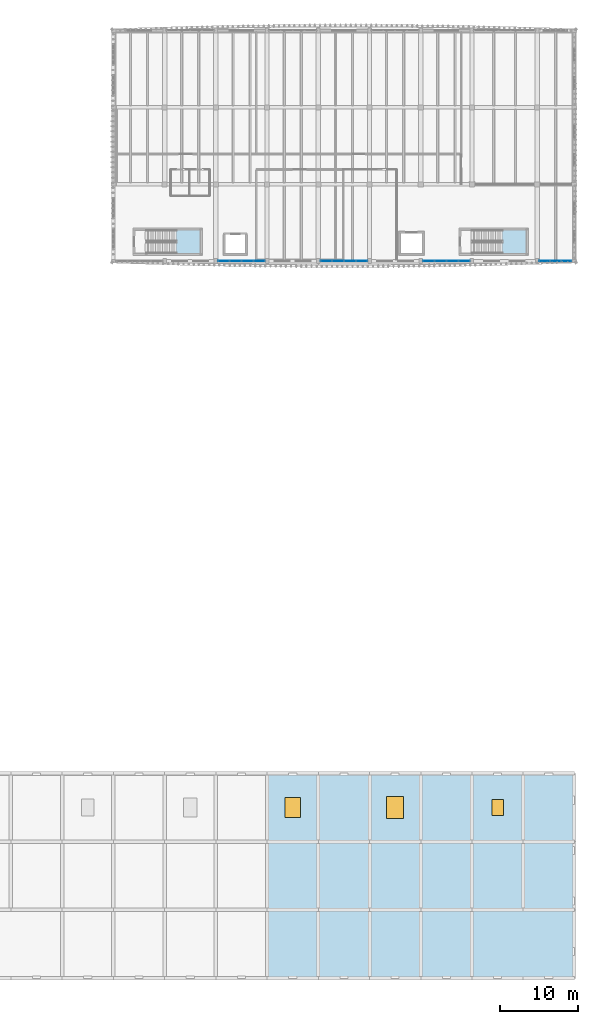
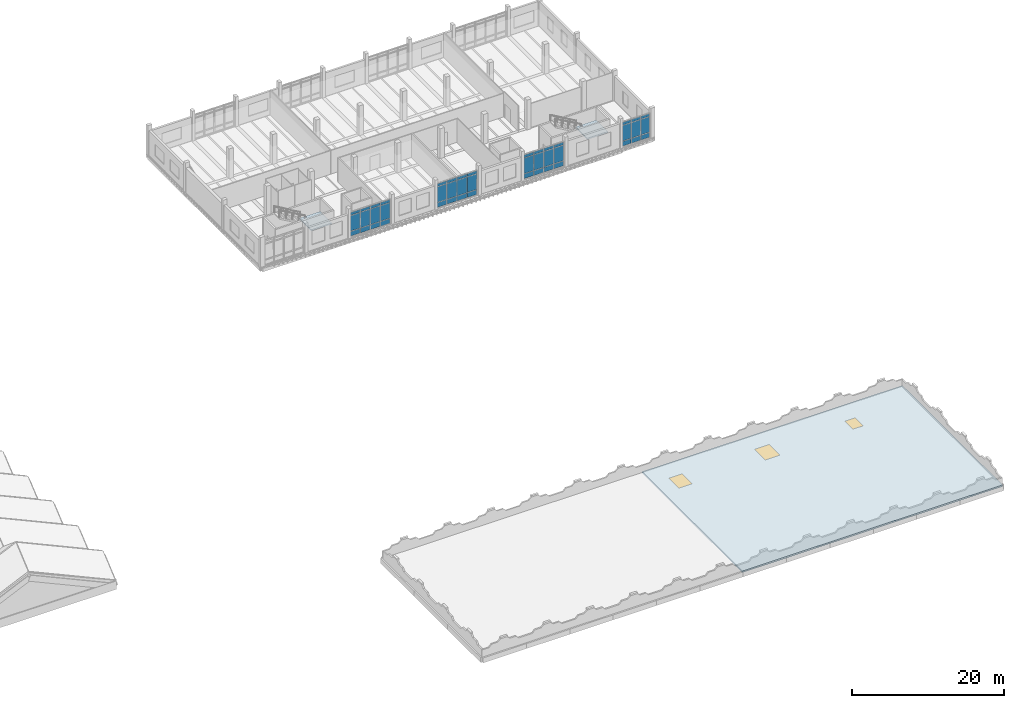
# One storey, part 22 of 50: 45 plates, 3 slabs, 3 windows, 3 openings, 6 elements without a shape of their own.
"""IFC4 building model written with IfcOpenShell, lengths in metres."""

from ifc_helpers import new_model, si_unit, direction, frame, origin, origin_2d, place, context, subcontext, project, spatial, polyline, rectangle, outline, extrude, material, layer, layer_set, type_object, element, fill, aggregate, save


model = new_model("IFC4")

# Units and contexts
model_context = context("Model", 3, precision=1e-05, world=origin(), true_north=direction((0.0, 1.0)))
body_context = subcontext(model_context, "Body", "Model", "MODEL_VIEW")
ifc_project = project(units=[si_unit("LENGTHUNIT", "METRE"), si_unit("AREAUNIT", "SQUARE_METRE"), si_unit("VOLUMEUNIT", "CUBIC_METRE"), si_unit("PLANEANGLEUNIT", "RADIAN"), si_unit("MASSUNIT", "GRAM", prefix="KILO")], contexts=[model_context])

# Site, building, storey
site_placement = place(None, origin())
site = spatial("IfcSite", under=ifc_project, at=site_placement, CompositionType="ELEMENT")
building_placement = place(site_placement, origin())
building = spatial("IfcBuilding", under=site, at=building_placement, Name="Dornvale Research Institute", CompositionType="ELEMENT")
storey_placement = place(building_placement, frame((0.0, 0.0, 19.800048828125)))
storey = spatial("IfcBuildingStorey", under=building, at=storey_placement, Name="L04", CompositionType="ELEMENT", Elevation=19.800048828125)

# Curtain wall, plates
ifc_material_1 = material(Name="Low-E Argon Double Insulating Glazing Unit", Category="glass")
curtain_wall_type_1 = type_object("IfcCurtainWallType", Name="UnitisedCurtainWall_V4_4250x3950", PredefinedType="USERDEFINED", material=ifc_material_1)
curtain_wall_1_placement = place(storey_placement, origin())
curtain_wall_1 = element("IfcCurtainWall", 1, at=curtain_wall_1_placement, inside=storey, type_object=curtain_wall_type_1, Name="L04 V4 unitised curtain wall CW-17 #104", ObjectType="UNITISED CURTAIN WALL", PredefinedType="USERDEFINED")
ifc_material_2 = material(Name="Insulated Ceramic-Frit Spandrel Glass Panel", Category="glass")
ifc_layer_1 = layer(ifc_material_2, 0.0419921875)
ifc_layer_set_1 = layer_set([ifc_layer_1], Name="Insulated Ceramic-Frit Spandrel Glass Panel")
plate_type_1 = type_object("IfcPlateType", Name="CurtainPanel_Spandrel_42", PredefinedType="CURTAIN_PANEL", material=ifc_layer_set_1)
plate_1_placement = place(storey_placement, frame((177.150390625, 92.39990234375, 0.06494140625), z_axis=(0.0, 0.0, 1.0), x_axis=(-1.0, 0.0, 0.0)))
plate_1 = element("IfcPlate", 2, at=plate_1_placement, type_object=plate_type_1, Name="CW-17 panel 1.1", PredefinedType="CURTAIN_PANEL", context=body_context, shape_type="SweptSolid", body=[
    extrude(rectangle(XDim=1.319091796875, YDim=0.0419921875, at=origin_2d()), origin(), (0.0, 0.0, 1.0), 0.75244140625),
])
plate_2_placement = place(storey_placement, frame((175.75, 92.39990234375, 0.06494140625), z_axis=(0.0, 0.0, 1.0), x_axis=(-1.0, 0.0, 0.0)))
plate_2 = element("IfcPlate", 3, at=plate_2_placement, type_object=plate_type_1, Name="CW-17 panel 2.1", PredefinedType="CURTAIN_PANEL", context=body_context, shape_type="SweptSolid", body=[
    extrude(rectangle(XDim=1.3515625, YDim=0.0419921875, at=origin_2d()), origin(), (0.0, 0.0, 1.0), 0.75244140625),
])
plate_3_placement = place(storey_placement, frame((174.349609375, 92.39990234375, 0.06494140625), z_axis=(0.0, 0.0, 1.0), x_axis=(-1.0, 0.0, 0.0)))
plate_3 = element("IfcPlate", 4, at=plate_3_placement, type_object=plate_type_1, Name="CW-17 panel 3.1", PredefinedType="CURTAIN_PANEL", context=body_context, shape_type="SweptSolid", body=[
    extrude(rectangle(XDim=1.319091796875, YDim=0.0419921875, at=origin_2d()), origin(), (0.0, 0.0, 1.0), 0.75244140625),
])

ifc_material_3 = material(Name="Low-E Argon Double Insulating Glazing Unit", Category="glass")
curtain_wall_type_2 = type_object("IfcCurtainWallType", Name="UnitisedCurtainWall_V4_6150x3950", PredefinedType="USERDEFINED", material=ifc_material_3)
curtain_wall_2_placement = place(storey_placement, origin())
curtain_wall_2 = element("IfcCurtainWall", 5, at=curtain_wall_2_placement, inside=storey, type_object=curtain_wall_type_2, Name="L04 V4 unitised curtain wall CW-15 #105", ObjectType="UNITISED CURTAIN WALL", PredefinedType="USERDEFINED")
plate_4_placement = place(storey_placement, frame((163.989990234375, 92.39990234375, 0.06494140625), z_axis=(0.0, 0.0, 1.0), x_axis=(-1.0, 0.0, 0.0)))
plate_4 = element("IfcPlate", 6, at=plate_4_placement, type_object=plate_type_1, Name="CW-15 panel 1.1", PredefinedType="CURTAIN_PANEL", context=body_context, shape_type="SweptSolid", body=[
    extrude(rectangle(XDim=1.43994140625, YDim=0.0419921875, at=origin_2d()), origin(), (0.0, 0.0, 1.0), 0.75244140625),
])
plate_5_placement = place(storey_placement, frame((162.46875, 92.39990234375, 0.06494140625), z_axis=(0.0, 0.0, 1.0), x_axis=(-1.0, 0.0, 0.0)))
plate_5 = element("IfcPlate", 7, at=plate_5_placement, type_object=plate_type_1, Name="CW-15 panel 2.1", PredefinedType="CURTAIN_PANEL", context=body_context, shape_type="SweptSolid", body=[
    extrude(rectangle(XDim=1.472412109375, YDim=0.0419921875, at=origin_2d()), origin(), (0.0, 0.0, 1.0), 0.75244140625),
])
plate_6_placement = place(storey_placement, frame((160.93115234375, 92.39990234375, 0.06494140625), z_axis=(0.0, 0.0, 1.0), x_axis=(-1.0, 0.0, 0.0)))
plate_6 = element("IfcPlate", 8, at=plate_6_placement, type_object=plate_type_1, Name="CW-15 panel 3.1", PredefinedType="CURTAIN_PANEL", context=body_context, shape_type="SweptSolid", body=[
    extrude(rectangle(XDim=1.472412109375, YDim=0.0419921875, at=origin_2d()), origin(), (0.0, 0.0, 1.0), 0.75244140625),
])
plate_7_placement = place(storey_placement, frame((159.409912109375, 92.39990234375, 0.06494140625), z_axis=(0.0, 0.0, 1.0), x_axis=(-1.0, 0.0, 0.0)))
plate_7 = element("IfcPlate", 9, at=plate_7_placement, type_object=plate_type_1, Name="CW-15 panel 4.1", PredefinedType="CURTAIN_PANEL", context=body_context, shape_type="SweptSolid", body=[
    extrude(rectangle(XDim=1.43994140625, YDim=0.0419921875, at=origin_2d()), origin(), (0.0, 0.0, 1.0), 0.75244140625),
])

curtain_wall_3_placement = place(storey_placement, origin())
curtain_wall_3 = element("IfcCurtainWall", 10, at=curtain_wall_3_placement, inside=storey, type_object=curtain_wall_type_2, Name="L04 V4 unitised curtain wall CW-15 #106", ObjectType="UNITISED CURTAIN WALL", PredefinedType="USERDEFINED")
plate_8_placement = place(storey_placement, frame((150.7900390625, 92.39990234375, 0.06494140625), z_axis=(0.0, 0.0, 1.0), x_axis=(-1.0, 0.0, 0.0)))
plate_8 = element("IfcPlate", 11, at=plate_8_placement, type_object=plate_type_1, Name="CW-15 panel 1.1", PredefinedType="CURTAIN_PANEL", context=body_context, shape_type="SweptSolid", body=[
    extrude(rectangle(XDim=1.43994140625, YDim=0.0419921875, at=origin_2d()), origin(), (0.0, 0.0, 1.0), 0.75244140625),
])
plate_9_placement = place(storey_placement, frame((149.268798828125, 92.39990234375, 0.06494140625), z_axis=(0.0, 0.0, 1.0), x_axis=(-1.0, 0.0, 0.0)))
plate_9 = element("IfcPlate", 12, at=plate_9_placement, type_object=plate_type_1, Name="CW-15 panel 2.1", PredefinedType="CURTAIN_PANEL", context=body_context, shape_type="SweptSolid", body=[
    extrude(rectangle(XDim=1.472412109375, YDim=0.0419921875, at=origin_2d()), origin(), (0.0, 0.0, 1.0), 0.75244140625),
])
plate_10_placement = place(storey_placement, frame((147.731201171875, 92.39990234375, 0.06494140625), z_axis=(0.0, 0.0, 1.0), x_axis=(-1.0, 0.0, 0.0)))
plate_10 = element("IfcPlate", 13, at=plate_10_placement, type_object=plate_type_1, Name="CW-15 panel 3.1", PredefinedType="CURTAIN_PANEL", context=body_context, shape_type="SweptSolid", body=[
    extrude(rectangle(XDim=1.472412109375, YDim=0.0419921875, at=origin_2d()), origin(), (0.0, 0.0, 1.0), 0.75244140625),
])
plate_11_placement = place(storey_placement, frame((146.2099609375, 92.39990234375, 0.06494140625), z_axis=(0.0, 0.0, 1.0), x_axis=(-1.0, 0.0, 0.0)))
plate_11 = element("IfcPlate", 14, at=plate_11_placement, type_object=plate_type_1, Name="CW-15 panel 4.1", PredefinedType="CURTAIN_PANEL", context=body_context, shape_type="SweptSolid", body=[
    extrude(rectangle(XDim=1.43994140625, YDim=0.0419921875, at=origin_2d()), origin(), (0.0, 0.0, 1.0), 0.75244140625),
])

curtain_wall_4_placement = place(storey_placement, origin())
curtain_wall_4 = element("IfcCurtainWall", 15, at=curtain_wall_4_placement, inside=storey, type_object=curtain_wall_type_2, Name="L04 V4 unitised curtain wall CW-15 #107", ObjectType="UNITISED CURTAIN WALL", PredefinedType="USERDEFINED")
plate_12_placement = place(storey_placement, frame((137.590087890625, 92.39990234375, 0.06494140625), z_axis=(0.0, 0.0, 1.0), x_axis=(-1.0, 0.0, 0.0)))
plate_12 = element("IfcPlate", 16, at=plate_12_placement, type_object=plate_type_1, Name="CW-15 panel 1.1", PredefinedType="CURTAIN_PANEL", context=body_context, shape_type="SweptSolid", body=[
    extrude(rectangle(XDim=1.43994140625, YDim=0.0419921875, at=origin_2d()), origin(), (0.0, 0.0, 1.0), 0.75244140625),
])
plate_13_placement = place(storey_placement, frame((136.06884765625, 92.39990234375, 0.06494140625), z_axis=(0.0, 0.0, 1.0), x_axis=(-1.0, 0.0, 0.0)))
plate_13 = element("IfcPlate", 17, at=plate_13_placement, type_object=plate_type_1, Name="CW-15 panel 2.1", PredefinedType="CURTAIN_PANEL", context=body_context, shape_type="SweptSolid", body=[
    extrude(rectangle(XDim=1.472412109375, YDim=0.0419921875, at=origin_2d()), origin(), (0.0, 0.0, 1.0), 0.75244140625),
])
plate_14_placement = place(storey_placement, frame((134.53125, 92.39990234375, 0.06494140625), z_axis=(0.0, 0.0, 1.0), x_axis=(-1.0, 0.0, 0.0)))
plate_14 = element("IfcPlate", 18, at=plate_14_placement, type_object=plate_type_1, Name="CW-15 panel 3.1", PredefinedType="CURTAIN_PANEL", context=body_context, shape_type="SweptSolid", body=[
    extrude(rectangle(XDim=1.472412109375, YDim=0.0419921875, at=origin_2d()), origin(), (0.0, 0.0, 1.0), 0.75244140625),
])
plate_15_placement = place(storey_placement, frame((133.010009765625, 92.39990234375, 0.06494140625), z_axis=(0.0, 0.0, 1.0), x_axis=(-1.0, 0.0, 0.0)))
plate_15 = element("IfcPlate", 19, at=plate_15_placement, type_object=plate_type_1, Name="CW-15 panel 4.1", PredefinedType="CURTAIN_PANEL", context=body_context, shape_type="SweptSolid", body=[
    extrude(rectangle(XDim=1.43994140625, YDim=0.0419921875, at=origin_2d()), origin(), (0.0, 0.0, 1.0), 0.75244140625),
])

# Plate
ifc_material_4 = material(Name="Low-E Argon Double Insulating Glazing Unit", Category="glass")
ifc_layer_2 = layer(ifc_material_4, 0.028076171875)
ifc_layer_set_2 = layer_set([ifc_layer_2], Name="Low-E Argon Double Insulating Glazing Unit")
plate_type_2 = type_object("IfcPlateType", Name="CurtainPanel_Vision_28", PredefinedType="CURTAIN_PANEL", material=ifc_layer_set_2)
plate_16_placement = place(storey_placement, frame((177.150390625, 92.39990234375, 0.88232421875), z_axis=(0.0, 0.0, 1.0), x_axis=(-1.0, 0.0, 0.0)))
plate_16 = element("IfcPlate", 20, at=plate_16_placement, type_object=plate_type_2, Name="CW-17 panel 1.2", PredefinedType="CURTAIN_PANEL", context=body_context, shape_type="SweptSolid", body=[
    extrude(rectangle(XDim=1.319091796875, YDim=0.028076171875, at=origin_2d()), origin(), (0.0, 0.0, 1.0), 2.485107421875),
])

plate_17_placement = place(storey_placement, frame((177.150390625, 92.39990234375, 3.4326171875), z_axis=(0.0, 0.0, 1.0), x_axis=(-1.0, 0.0, 0.0)))
plate_17 = element("IfcPlate", 21, at=plate_17_placement, type_object=plate_type_2, Name="CW-17 panel 1.3", PredefinedType="CURTAIN_PANEL", context=body_context, shape_type="SweptSolid", body=[
    extrude(rectangle(XDim=1.319091796875, YDim=0.028076171875, at=origin_2d()), origin(), (0.0, 0.0, 1.0), 0.452392578125),
])

plate_18_placement = place(storey_placement, frame((175.75, 92.39990234375, 0.88232421875), z_axis=(0.0, 0.0, 1.0), x_axis=(-1.0, 0.0, 0.0)))
plate_18 = element("IfcPlate", 22, at=plate_18_placement, type_object=plate_type_2, Name="CW-17 panel 2.2", PredefinedType="CURTAIN_PANEL", context=body_context, shape_type="SweptSolid", body=[
    extrude(rectangle(XDim=1.3515625, YDim=0.028076171875, at=origin_2d()), origin(), (0.0, 0.0, 1.0), 2.485107421875),
])

plate_19_placement = place(storey_placement, frame((175.75, 92.39990234375, 3.4326171875), z_axis=(0.0, 0.0, 1.0), x_axis=(-1.0, 0.0, 0.0)))
plate_19 = element("IfcPlate", 23, at=plate_19_placement, type_object=plate_type_2, Name="CW-17 panel 2.3", PredefinedType="CURTAIN_PANEL", context=body_context, shape_type="SweptSolid", body=[
    extrude(rectangle(XDim=1.3515625, YDim=0.028076171875, at=origin_2d()), origin(), (0.0, 0.0, 1.0), 0.452392578125),
])

plate_20_placement = place(storey_placement, frame((174.349609375, 92.39990234375, 0.88232421875), z_axis=(0.0, 0.0, 1.0), x_axis=(-1.0, 0.0, 0.0)))
plate_20 = element("IfcPlate", 24, at=plate_20_placement, type_object=plate_type_2, Name="CW-17 panel 3.2", PredefinedType="CURTAIN_PANEL", context=body_context, shape_type="SweptSolid", body=[
    extrude(rectangle(XDim=1.319091796875, YDim=0.028076171875, at=origin_2d()), origin(), (0.0, 0.0, 1.0), 2.485107421875),
])

plate_21_placement = place(storey_placement, frame((174.349609375, 92.39990234375, 3.4326171875), z_axis=(0.0, 0.0, 1.0), x_axis=(-1.0, 0.0, 0.0)))
plate_21 = element("IfcPlate", 25, at=plate_21_placement, type_object=plate_type_2, Name="CW-17 panel 3.3", PredefinedType="CURTAIN_PANEL", context=body_context, shape_type="SweptSolid", body=[
    extrude(rectangle(XDim=1.319091796875, YDim=0.028076171875, at=origin_2d()), origin(), (0.0, 0.0, 1.0), 0.452392578125),
])

aggregate(curtain_wall_1, [plate_1, plate_16, plate_17, plate_2, plate_18, plate_19, plate_3, plate_20, plate_21])

plate_22_placement = place(storey_placement, frame((163.989990234375, 92.39990234375, 0.88232421875), z_axis=(0.0, 0.0, 1.0), x_axis=(-1.0, 0.0, 0.0)))
plate_22 = element("IfcPlate", 26, at=plate_22_placement, type_object=plate_type_2, Name="CW-15 panel 1.2", PredefinedType="CURTAIN_PANEL", context=body_context, shape_type="SweptSolid", body=[
    extrude(rectangle(XDim=1.43994140625, YDim=0.028076171875, at=origin_2d()), origin(), (0.0, 0.0, 1.0), 2.485107421875),
])

plate_23_placement = place(storey_placement, frame((163.989990234375, 92.39990234375, 3.4326171875), z_axis=(0.0, 0.0, 1.0), x_axis=(-1.0, 0.0, 0.0)))
plate_23 = element("IfcPlate", 27, at=plate_23_placement, type_object=plate_type_2, Name="CW-15 panel 1.3", PredefinedType="CURTAIN_PANEL", context=body_context, shape_type="SweptSolid", body=[
    extrude(rectangle(XDim=1.43994140625, YDim=0.028076171875, at=origin_2d()), origin(), (0.0, 0.0, 1.0), 0.452392578125),
])

plate_24_placement = place(storey_placement, frame((162.46875, 92.39990234375, 0.88232421875), z_axis=(0.0, 0.0, 1.0), x_axis=(-1.0, 0.0, 0.0)))
plate_24 = element("IfcPlate", 28, at=plate_24_placement, type_object=plate_type_2, Name="CW-15 panel 2.2", PredefinedType="CURTAIN_PANEL", context=body_context, shape_type="SweptSolid", body=[
    extrude(rectangle(XDim=1.472412109375, YDim=0.028076171875, at=origin_2d()), origin(), (0.0, 0.0, 1.0), 2.485107421875),
])

plate_25_placement = place(storey_placement, frame((162.46875, 92.39990234375, 3.4326171875), z_axis=(0.0, 0.0, 1.0), x_axis=(-1.0, 0.0, 0.0)))
plate_25 = element("IfcPlate", 29, at=plate_25_placement, type_object=plate_type_2, Name="CW-15 panel 2.3", PredefinedType="CURTAIN_PANEL", context=body_context, shape_type="SweptSolid", body=[
    extrude(rectangle(XDim=1.472412109375, YDim=0.028076171875, at=origin_2d()), origin(), (0.0, 0.0, 1.0), 0.452392578125),
])

plate_26_placement = place(storey_placement, frame((160.93115234375, 92.39990234375, 0.88232421875), z_axis=(0.0, 0.0, 1.0), x_axis=(-1.0, 0.0, 0.0)))
plate_26 = element("IfcPlate", 30, at=plate_26_placement, type_object=plate_type_2, Name="CW-15 panel 3.2", PredefinedType="CURTAIN_PANEL", context=body_context, shape_type="SweptSolid", body=[
    extrude(rectangle(XDim=1.472412109375, YDim=0.028076171875, at=origin_2d()), origin(), (0.0, 0.0, 1.0), 2.485107421875),
])

plate_27_placement = place(storey_placement, frame((160.93115234375, 92.39990234375, 3.4326171875), z_axis=(0.0, 0.0, 1.0), x_axis=(-1.0, 0.0, 0.0)))
plate_27 = element("IfcPlate", 31, at=plate_27_placement, type_object=plate_type_2, Name="CW-15 panel 3.3", PredefinedType="CURTAIN_PANEL", context=body_context, shape_type="SweptSolid", body=[
    extrude(rectangle(XDim=1.472412109375, YDim=0.028076171875, at=origin_2d()), origin(), (0.0, 0.0, 1.0), 0.452392578125),
])

plate_28_placement = place(storey_placement, frame((159.409912109375, 92.39990234375, 0.88232421875), z_axis=(0.0, 0.0, 1.0), x_axis=(-1.0, 0.0, 0.0)))
plate_28 = element("IfcPlate", 32, at=plate_28_placement, type_object=plate_type_2, Name="CW-15 panel 4.2", PredefinedType="CURTAIN_PANEL", context=body_context, shape_type="SweptSolid", body=[
    extrude(rectangle(XDim=1.43994140625, YDim=0.028076171875, at=origin_2d()), origin(), (0.0, 0.0, 1.0), 2.485107421875),
])

plate_29_placement = place(storey_placement, frame((159.409912109375, 92.39990234375, 3.4326171875), z_axis=(0.0, 0.0, 1.0), x_axis=(-1.0, 0.0, 0.0)))
plate_29 = element("IfcPlate", 33, at=plate_29_placement, type_object=plate_type_2, Name="CW-15 panel 4.3", PredefinedType="CURTAIN_PANEL", context=body_context, shape_type="SweptSolid", body=[
    extrude(rectangle(XDim=1.43994140625, YDim=0.028076171875, at=origin_2d()), origin(), (0.0, 0.0, 1.0), 0.452392578125),
])

aggregate(curtain_wall_2, [plate_4, plate_22, plate_23, plate_5, plate_24, plate_25, plate_6, plate_26, plate_27, plate_7, plate_28, plate_29])

plate_30_placement = place(storey_placement, frame((150.7900390625, 92.39990234375, 0.88232421875), z_axis=(0.0, 0.0, 1.0), x_axis=(-1.0, 0.0, 0.0)))
plate_30 = element("IfcPlate", 34, at=plate_30_placement, type_object=plate_type_2, Name="CW-15 panel 1.2", PredefinedType="CURTAIN_PANEL", context=body_context, shape_type="SweptSolid", body=[
    extrude(rectangle(XDim=1.43994140625, YDim=0.028076171875, at=origin_2d()), origin(), (0.0, 0.0, 1.0), 2.485107421875),
])

plate_31_placement = place(storey_placement, frame((150.7900390625, 92.39990234375, 3.4326171875), z_axis=(0.0, 0.0, 1.0), x_axis=(-1.0, 0.0, 0.0)))
plate_31 = element("IfcPlate", 35, at=plate_31_placement, type_object=plate_type_2, Name="CW-15 panel 1.3", PredefinedType="CURTAIN_PANEL", context=body_context, shape_type="SweptSolid", body=[
    extrude(rectangle(XDim=1.43994140625, YDim=0.028076171875, at=origin_2d()), origin(), (0.0, 0.0, 1.0), 0.452392578125),
])

plate_32_placement = place(storey_placement, frame((149.268798828125, 92.39990234375, 0.88232421875), z_axis=(0.0, 0.0, 1.0), x_axis=(-1.0, 0.0, 0.0)))
plate_32 = element("IfcPlate", 36, at=plate_32_placement, type_object=plate_type_2, Name="CW-15 panel 2.2", PredefinedType="CURTAIN_PANEL", context=body_context, shape_type="SweptSolid", body=[
    extrude(rectangle(XDim=1.472412109375, YDim=0.028076171875, at=origin_2d()), origin(), (0.0, 0.0, 1.0), 2.485107421875),
])

plate_33_placement = place(storey_placement, frame((149.268798828125, 92.39990234375, 3.4326171875), z_axis=(0.0, 0.0, 1.0), x_axis=(-1.0, 0.0, 0.0)))
plate_33 = element("IfcPlate", 37, at=plate_33_placement, type_object=plate_type_2, Name="CW-15 panel 2.3", PredefinedType="CURTAIN_PANEL", context=body_context, shape_type="SweptSolid", body=[
    extrude(rectangle(XDim=1.472412109375, YDim=0.028076171875, at=origin_2d()), origin(), (0.0, 0.0, 1.0), 0.452392578125),
])

plate_34_placement = place(storey_placement, frame((147.731201171875, 92.39990234375, 0.88232421875), z_axis=(0.0, 0.0, 1.0), x_axis=(-1.0, 0.0, 0.0)))
plate_34 = element("IfcPlate", 38, at=plate_34_placement, type_object=plate_type_2, Name="CW-15 panel 3.2", PredefinedType="CURTAIN_PANEL", context=body_context, shape_type="SweptSolid", body=[
    extrude(rectangle(XDim=1.472412109375, YDim=0.028076171875, at=origin_2d()), origin(), (0.0, 0.0, 1.0), 2.485107421875),
])

plate_35_placement = place(storey_placement, frame((147.731201171875, 92.39990234375, 3.4326171875), z_axis=(0.0, 0.0, 1.0), x_axis=(-1.0, 0.0, 0.0)))
plate_35 = element("IfcPlate", 39, at=plate_35_placement, type_object=plate_type_2, Name="CW-15 panel 3.3", PredefinedType="CURTAIN_PANEL", context=body_context, shape_type="SweptSolid", body=[
    extrude(rectangle(XDim=1.472412109375, YDim=0.028076171875, at=origin_2d()), origin(), (0.0, 0.0, 1.0), 0.452392578125),
])

plate_36_placement = place(storey_placement, frame((146.2099609375, 92.39990234375, 0.88232421875), z_axis=(0.0, 0.0, 1.0), x_axis=(-1.0, 0.0, 0.0)))
plate_36 = element("IfcPlate", 40, at=plate_36_placement, type_object=plate_type_2, Name="CW-15 panel 4.2", PredefinedType="CURTAIN_PANEL", context=body_context, shape_type="SweptSolid", body=[
    extrude(rectangle(XDim=1.43994140625, YDim=0.028076171875, at=origin_2d()), origin(), (0.0, 0.0, 1.0), 2.485107421875),
])

plate_37_placement = place(storey_placement, frame((146.2099609375, 92.39990234375, 3.4326171875), z_axis=(0.0, 0.0, 1.0), x_axis=(-1.0, 0.0, 0.0)))
plate_37 = element("IfcPlate", 41, at=plate_37_placement, type_object=plate_type_2, Name="CW-15 panel 4.3", PredefinedType="CURTAIN_PANEL", context=body_context, shape_type="SweptSolid", body=[
    extrude(rectangle(XDim=1.43994140625, YDim=0.028076171875, at=origin_2d()), origin(), (0.0, 0.0, 1.0), 0.452392578125),
])

aggregate(curtain_wall_3, [plate_8, plate_30, plate_31, plate_9, plate_32, plate_33, plate_10, plate_34, plate_35, plate_11, plate_36, plate_37])

plate_38_placement = place(storey_placement, frame((137.590087890625, 92.39990234375, 0.88232421875), z_axis=(0.0, 0.0, 1.0), x_axis=(-1.0, 0.0, 0.0)))
plate_38 = element("IfcPlate", 42, at=plate_38_placement, type_object=plate_type_2, Name="CW-15 panel 1.2", PredefinedType="CURTAIN_PANEL", context=body_context, shape_type="SweptSolid", body=[
    extrude(rectangle(XDim=1.43994140625, YDim=0.028076171875, at=origin_2d()), origin(), (0.0, 0.0, 1.0), 2.485107421875),
])

plate_39_placement = place(storey_placement, frame((137.590087890625, 92.39990234375, 3.4326171875), z_axis=(0.0, 0.0, 1.0), x_axis=(-1.0, 0.0, 0.0)))
plate_39 = element("IfcPlate", 43, at=plate_39_placement, type_object=plate_type_2, Name="CW-15 panel 1.3", PredefinedType="CURTAIN_PANEL", context=body_context, shape_type="SweptSolid", body=[
    extrude(rectangle(XDim=1.43994140625, YDim=0.028076171875, at=origin_2d()), origin(), (0.0, 0.0, 1.0), 0.452392578125),
])

plate_40_placement = place(storey_placement, frame((136.06884765625, 92.39990234375, 0.88232421875), z_axis=(0.0, 0.0, 1.0), x_axis=(-1.0, 0.0, 0.0)))
plate_40 = element("IfcPlate", 44, at=plate_40_placement, type_object=plate_type_2, Name="CW-15 panel 2.2", PredefinedType="CURTAIN_PANEL", context=body_context, shape_type="SweptSolid", body=[
    extrude(rectangle(XDim=1.472412109375, YDim=0.028076171875, at=origin_2d()), origin(), (0.0, 0.0, 1.0), 2.485107421875),
])

plate_41_placement = place(storey_placement, frame((136.06884765625, 92.39990234375, 3.4326171875), z_axis=(0.0, 0.0, 1.0), x_axis=(-1.0, 0.0, 0.0)))
plate_41 = element("IfcPlate", 45, at=plate_41_placement, type_object=plate_type_2, Name="CW-15 panel 2.3", PredefinedType="CURTAIN_PANEL", context=body_context, shape_type="SweptSolid", body=[
    extrude(rectangle(XDim=1.472412109375, YDim=0.028076171875, at=origin_2d()), origin(), (0.0, 0.0, 1.0), 0.452392578125),
])

plate_42_placement = place(storey_placement, frame((134.53125, 92.39990234375, 0.88232421875), z_axis=(0.0, 0.0, 1.0), x_axis=(-1.0, 0.0, 0.0)))
plate_42 = element("IfcPlate", 46, at=plate_42_placement, type_object=plate_type_2, Name="CW-15 panel 3.2", PredefinedType="CURTAIN_PANEL", context=body_context, shape_type="SweptSolid", body=[
    extrude(rectangle(XDim=1.472412109375, YDim=0.028076171875, at=origin_2d()), origin(), (0.0, 0.0, 1.0), 2.485107421875),
])

plate_43_placement = place(storey_placement, frame((134.53125, 92.39990234375, 3.4326171875), z_axis=(0.0, 0.0, 1.0), x_axis=(-1.0, 0.0, 0.0)))
plate_43 = element("IfcPlate", 47, at=plate_43_placement, type_object=plate_type_2, Name="CW-15 panel 3.3", PredefinedType="CURTAIN_PANEL", context=body_context, shape_type="SweptSolid", body=[
    extrude(rectangle(XDim=1.472412109375, YDim=0.028076171875, at=origin_2d()), origin(), (0.0, 0.0, 1.0), 0.452392578125),
])

plate_44_placement = place(storey_placement, frame((133.010009765625, 92.39990234375, 0.88232421875), z_axis=(0.0, 0.0, 1.0), x_axis=(-1.0, 0.0, 0.0)))
plate_44 = element("IfcPlate", 48, at=plate_44_placement, type_object=plate_type_2, Name="CW-15 panel 4.2", PredefinedType="CURTAIN_PANEL", context=body_context, shape_type="SweptSolid", body=[
    extrude(rectangle(XDim=1.43994140625, YDim=0.028076171875, at=origin_2d()), origin(), (0.0, 0.0, 1.0), 2.485107421875),
])

plate_45_placement = place(storey_placement, frame((133.010009765625, 92.39990234375, 3.4326171875), z_axis=(0.0, 0.0, 1.0), x_axis=(-1.0, 0.0, 0.0)))
plate_45 = element("IfcPlate", 49, at=plate_45_placement, type_object=plate_type_2, Name="CW-15 panel 4.3", PredefinedType="CURTAIN_PANEL", context=body_context, shape_type="SweptSolid", body=[
    extrude(rectangle(XDim=1.43994140625, YDim=0.028076171875, at=origin_2d()), origin(), (0.0, 0.0, 1.0), 0.452392578125),
])

aggregate(curtain_wall_4, [plate_12, plate_38, plate_39, plate_13, plate_40, plate_41, plate_14, plate_42, plate_43, plate_15, plate_44, plate_45])

# Stair, slab
ifc_material_5 = material(Name="Concrete f'c 45 MPa (C35/45)", Category="concrete")
stair_type = type_object("IfcStairType", Name="HalfTurnStair_RC", PredefinedType="HALF_TURN_STAIR", material=ifc_material_5)
stair_1_placement = place(storey_placement, origin())
stair_1 = element("IfcStair", 50, at=stair_1_placement, inside=storey, type_object=stair_type, Name="L04 Exit stair ST-3", PredefinedType="HALF_TURN_STAIR")
ifc_material_6 = material(Name="Concrete f'c 45 MPa (C35/45)", Category="concrete")
ifc_layer_3 = layer(ifc_material_6, 0.199951171875)
ifc_layer_set_3 = layer_set([ifc_layer_3], Name="Concrete f'c 45 MPa (C35/45)")
slab_type_1 = type_object("IfcSlabType", Name="Landing_Stair_200", PredefinedType="LANDING", material=ifc_layer_set_3)
slab_1_placement = place(storey_placement, frame((0.0, 0.0, 2.199951171875)))
slab_1 = element("IfcSlab", 51, at=slab_1_placement, type_object=slab_type_1, Name="ST-3 landing 1", PredefinedType="LANDING", context=body_context, shape_type="SweptSolid", body=[
    extrude(outline(polyline([(126.889892578125, 93.3701171875), (126.889892578125, 96.429931640625), (130.030029296875, 96.429931640625), (130.030029296875, 93.3701171875), (126.889892578125, 93.3701171875)])), origin(), (0.0, 0.0, 1.0), 0.199951171875),
])
aggregate(stair_1, [slab_1])

stair_2_placement = place(storey_placement, origin())
stair_2 = element("IfcStair", 52, at=stair_2_placement, inside=storey, type_object=stair_type, Name="L04 Exit stair ST-4", PredefinedType="HALF_TURN_STAIR")
slab_2_placement = place(storey_placement, frame((0.0, 0.0, 2.199951171875)))
slab_2 = element("IfcSlab", 53, at=slab_2_placement, type_object=slab_type_1, Name="ST-4 landing 1", PredefinedType="LANDING", context=body_context, shape_type="SweptSolid", body=[
    extrude(outline(polyline([(168.889892578125, 93.3701171875), (168.889892578125, 96.429931640625), (172.030029296875, 96.429931640625), (172.030029296875, 93.3701171875), (168.889892578125, 93.3701171875)])), origin(), (0.0, 0.0, 1.0), 0.199951171875),
])
aggregate(stair_2, [slab_2])

# Slab, openings, windows
ifc_material_7 = material(Name="Concrete f'c 45 MPa (C35/45)", Category="concrete")
ifc_layer_4 = layer(ifc_material_7, 0.260009765625)
ifc_layer_set_4 = layer_set([ifc_layer_4], Name="Concrete f'c 45 MPa (C35/45)")
slab_type_2 = type_object("IfcSlabType", Name="RoofSlab_Flat_260", PredefinedType="ROOF", material=ifc_layer_set_4)
slab_3_placement = place(storey_placement, frame((0.0, 0.0, -0.260009765625)))
slab_3 = element("IfcSlab", 54, at=slab_3_placement, inside=storey, type_object=slab_type_2, Name="L04 V3 structural roof slab ROOF-V3-L04-E", PredefinedType="ROOF", context=body_context, shape_type="SweptSolid", body=[
    extrude(outline(polyline([(138.60009765625, 0.0), (178.199951171875, 0.0), (178.199951171875, 26.39990234375), (138.60009765625, 26.39990234375), (138.60009765625, 0.0)])), origin(), (0.0, 0.0, 1.0), 0.260009765625),
])
opening_1_placement = place(slab_3_placement, frame((141.89990234375, 22.0, 0.0)))
opening_1 = element("IfcOpeningElement", 55, at=opening_1_placement, cuts=slab_3, Name="Opening SK-04", PredefinedType="OPENING", context=body_context, shape_type="SweptSolid", body=[
    extrude(rectangle(XDim=2.0, YDim=2.60009765625, at=origin_2d()), origin(), (0.0, 0.0, 1.0), 0.260009765625),
])
opening_2_placement = place(slab_3_placement, frame((155.10009765625, 22.0, 0.0)))
opening_2 = element("IfcOpeningElement", 56, at=opening_2_placement, cuts=slab_3, Name="Opening SK-05", PredefinedType="OPENING", context=body_context, shape_type="SweptSolid", body=[
    extrude(rectangle(XDim=2.199951171875, YDim=2.800048828125, at=origin_2d()), origin(), (0.0, 0.0, 1.0), 0.260009765625),
])
opening_3_placement = place(slab_3_placement, frame((168.300048828125, 22.0, 0.0)))
opening_3 = element("IfcOpeningElement", 57, at=opening_3_placement, cuts=slab_3, Name="Opening SK-06", PredefinedType="OPENING", context=body_context, shape_type="SweptSolid", body=[
    extrude(rectangle(XDim=1.5, YDim=2.10009765625, at=origin_2d()), origin(), (0.0, 0.0, 1.0), 0.260009765625),
])
ifc_material_8 = material(Name="Low-E Argon Double Insulating Glazing Unit", Category="glass")
window_type_1 = type_object("IfcWindowType", Name="Skylight_Alu_1500x2100", PartitioningType="SINGLE_PANEL", PredefinedType="SKYLIGHT", material=ifc_material_8)
window_1_placement = place(opening_3_placement, frame((0.0, 0.0, 0.2099609375)))
window_1 = element("IfcWindow", 58, at=window_1_placement, inside=storey, type_object=window_type_1, Name="L04 daylight skylight SK-06 #6", OverallHeight=2.10009765625, OverallWidth=1.5, PartitioningType="SINGLE_PANEL", PredefinedType="SKYLIGHT", context=body_context, shape_type="SweptSolid", body=[
    extrude(rectangle(XDim=1.5, YDim=2.10009765625, at=origin_2d()), origin(), (0.0, 0.0, 1.0), 0.050048828125),
])
fill(opening_3, window_1)
ifc_material_9 = material(Name="Low-E Argon Double Insulating Glazing Unit", Category="glass")
window_type_2 = type_object("IfcWindowType", Name="Skylight_Alu_2000x2600", PartitioningType="SINGLE_PANEL", PredefinedType="SKYLIGHT", material=ifc_material_9)
window_2_placement = place(opening_1_placement, frame((0.0, 0.0, 0.2099609375)))
window_2 = element("IfcWindow", 59, at=window_2_placement, inside=storey, type_object=window_type_2, Name="L04 daylight skylight SK-04 #4", OverallHeight=2.60009765625, OverallWidth=2.0, PartitioningType="SINGLE_PANEL", PredefinedType="SKYLIGHT", context=body_context, shape_type="SweptSolid", body=[
    extrude(rectangle(XDim=2.0, YDim=2.60009765625, at=origin_2d()), origin(), (0.0, 0.0, 1.0), 0.050048828125),
])
fill(opening_1, window_2)
ifc_material_10 = material(Name="Low-E Argon Double Insulating Glazing Unit", Category="glass")
window_type_3 = type_object("IfcWindowType", Name="Skylight_Alu_2200x2800", PartitioningType="SINGLE_PANEL", PredefinedType="SKYLIGHT", material=ifc_material_10)
window_3_placement = place(opening_2_placement, frame((0.0, 0.0, 0.2099609375)))
window_3 = element("IfcWindow", 60, at=window_3_placement, inside=storey, type_object=window_type_3, Name="L04 daylight skylight SK-05 #5", OverallHeight=2.800048828125, OverallWidth=2.199951171875, PartitioningType="SINGLE_PANEL", PredefinedType="SKYLIGHT", context=body_context, shape_type="SweptSolid", body=[
    extrude(rectangle(XDim=2.199951171875, YDim=2.800048828125, at=origin_2d()), origin(), (0.0, 0.0, 1.0), 0.050048828125),
])
fill(opening_2, window_3)

save(model, "model.ifc")
